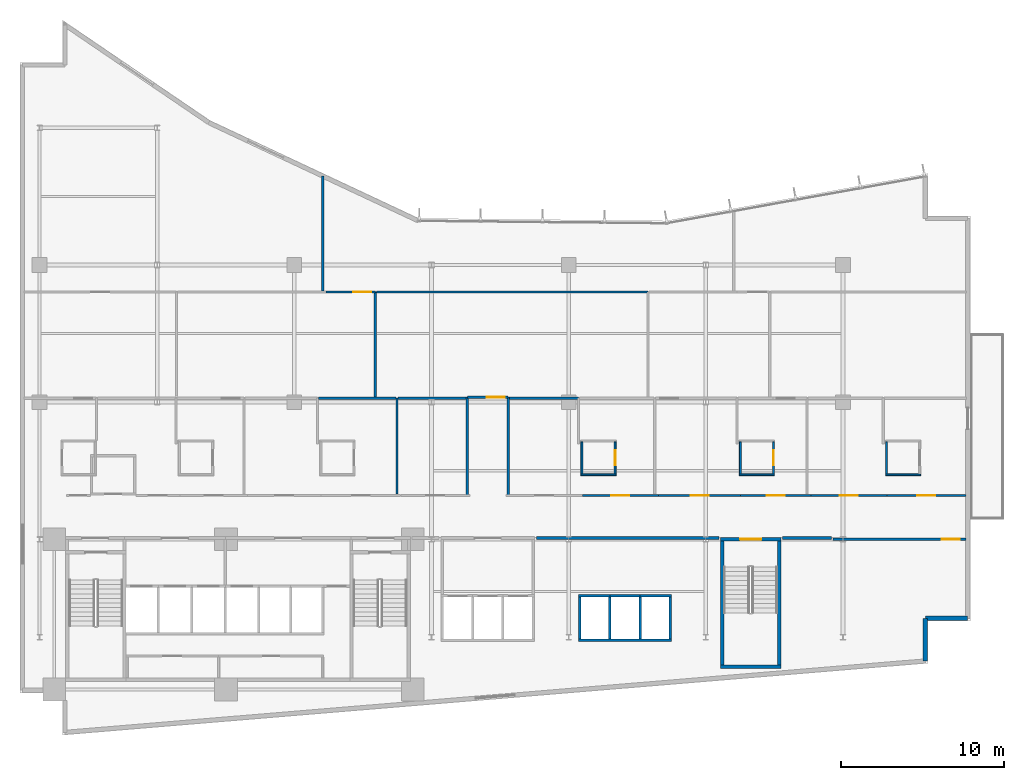
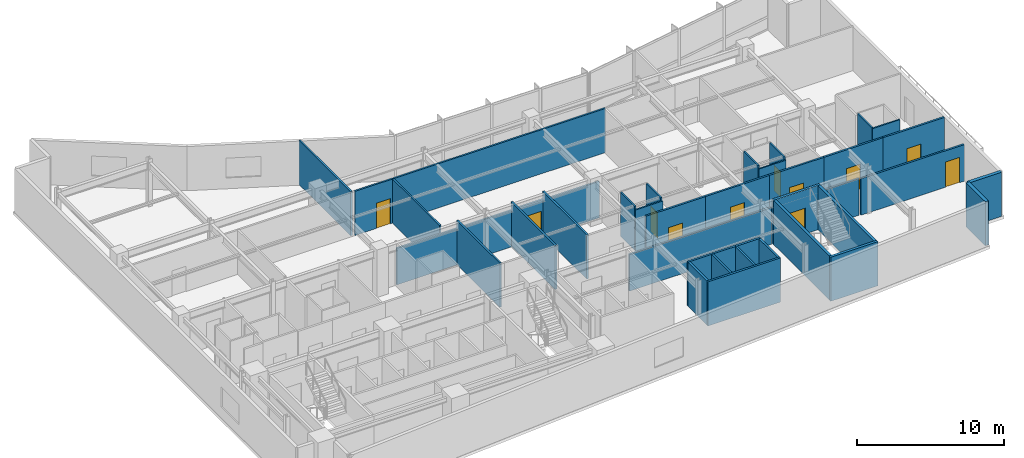
# One storey, part 12 of 19: 41 walls, 11 doors, 11 openings.
"""IFC4 building model written with IfcOpenShell, lengths in metres."""

from ifc_helpers import new_model, si_unit, direction, frame, frame_2d, origin, place, context, subcontext, project, spatial, rectangle, extrude, material, layer, layer_set, type_object, element, fill, save


model = new_model("IFC4")

# Units and contexts
model_context = context("Model", 3, precision=1e-05, world=origin(), true_north=direction((0.0, 1.0)))
body_context = subcontext(model_context, "Body", "Model", "MODEL_VIEW")
ifc_project = project(units=[si_unit("LENGTHUNIT", "METRE"), si_unit("AREAUNIT", "SQUARE_METRE"), si_unit("VOLUMEUNIT", "CUBIC_METRE"), si_unit("PLANEANGLEUNIT", "RADIAN"), si_unit("MASSUNIT", "GRAM", prefix="KILO")], contexts=[model_context])

# Site, building, storey
site_placement = place(None, origin())
site = spatial("IfcSite", under=ifc_project, at=site_placement, CompositionType="ELEMENT")
building_placement = place(site_placement, origin())
building = spatial("IfcBuilding", under=site, at=building_placement, Name="Varnakote Quay Hospital", CompositionType="ELEMENT")
storey_placement = place(building_placement, frame((0.0, 0.0, 93.60009765625)))
storey = spatial("IfcBuildingStorey", under=building, at=storey_placement, Name="L23", CompositionType="ELEMENT", Elevation=93.60009765625)

# Walls
ifc_material_1 = material(Name="Fire-rated acoustic gypsum stud wall", Category="gypsum")
ifc_layer_1 = layer(ifc_material_1, 0.159912109375)
ifc_layer_set_1 = layer_set([ifc_layer_1], Name="Fire-rated acoustic gypsum stud wall")
wall_type_1 = type_object("IfcWallType", Name="WL-COMP-160", PredefinedType="PARTITIONING", material=ifc_layer_set_1)
wall_1_placement = place(storey_placement, frame((31.6298828125, 12.080078125, 0.0), z_axis=(0.0, 0.0, 1.0), x_axis=(1.0, 0.0, 0.0)))
element("IfcWall", 1, at=wall_1_placement, inside=storey, type_object=wall_type_1, Name="L23 Corridor South Gap Wall", PredefinedType="PARTITIONING", context=body_context, shape_type="SweptSolid", body=[
    extrude(rectangle(XDim=11.180908203125, YDim=0.159912109375, at=frame_2d((5.59033203125, 0.0))), origin(), (0.0, 0.0, 1.0), 3.032958984375),
])
wall_2_placement = place(storey_placement, frame((46.689208984375, 12.080078125, 0.0), z_axis=(0.0, 0.0, 1.0), x_axis=(1.0, 0.0, 0.0)))
element("IfcWall", 2, at=wall_2_placement, inside=storey, type_object=wall_type_1, Name="L23 Corridor South Gap Wall", PredefinedType="PARTITIONING", context=body_context, shape_type="SweptSolid", body=[
    extrude(rectangle(XDim=3.0107421875, YDim=0.159912109375, at=frame_2d((1.50537109375, 0.0))), origin(), (0.0, 0.0, 1.0), 3.032958984375),
])
ifc_material_2 = material(Name="Moisture-resistant bathroom partition", Category="gypsum")
ifc_layer_2 = layer(ifc_material_2, 0.114990234375)
ifc_layer_set_2 = layer_set([ifc_layer_2], Name="Moisture-resistant bathroom partition")
wall_type_2 = type_object("IfcWallType", Name="WL-ENS-115", PredefinedType="PARTITIONING", material=ifc_layer_set_2)
wall_3_placement = place(storey_placement, frame((34.35498046875, 15.952392578125, 0.0), z_axis=(0.0, 0.0, 1.0), x_axis=(1.0, 0.0, 0.0)))
element("IfcWall", 3, at=wall_3_placement, inside=storey, type_object=wall_type_2, Name="L23 Inpatient En-Suite Bathroom 04 S Wall", PredefinedType="PARTITIONING", context=body_context, shape_type="SweptSolid", body=[
    extrude(rectangle(XDim=2.14990234375, YDim=0.114990234375, at=frame_2d((1.074951171875, 0.0))), origin(), (0.0, 0.0, 1.0), 3.43798828125),
])
wall_4_placement = place(storey_placement, frame((34.41259765625, 16.010009765625, 0.0), z_axis=(0.0, 0.0, 1.0), x_axis=(0.0, 1.0, 0.0)))
element("IfcWall", 4, at=wall_4_placement, inside=storey, type_object=wall_type_2, Name="L23 Inpatient En-Suite Bathroom 04 W Wall", PredefinedType="PARTITIONING", context=body_context, shape_type="SweptSolid", body=[
    extrude(rectangle(XDim=1.949951171875, YDim=0.114990234375, at=frame_2d((0.97509765625, 0.0))), origin(), (0.0, 0.0, 1.0), 3.669921875),
])

# Wall, opening, door
wall_5_placement = place(storey_placement, frame((36.447509765625, 16.010009765625, 0.0), z_axis=(0.0, 0.0, 1.0), x_axis=(0.0, 1.0, 0.0)))
wall_5 = element("IfcWall", 5, at=wall_5_placement, inside=storey, type_object=wall_type_2, Name="L23 Inpatient En-Suite Bathroom 04 E Wall", PredefinedType="PARTITIONING", context=body_context, shape_type="SweptSolid", body=[
    extrude(rectangle(XDim=1.949951171875, YDim=0.114990234375, at=frame_2d((0.97509765625, 0.0))), origin(), (0.0, 0.0, 1.0), 3.669921875),
])
opening_1_placement = place(wall_5_placement, frame((0.514892578125, 0.0, 0.0)))
opening_1 = element("IfcOpeningElement", 6, at=opening_1_placement, cuts=wall_5, Name="Opening D-L23-ENS04", PredefinedType="OPENING", context=body_context, shape_type="SweptSolid", body=[
    extrude(rectangle(XDim=0.919921875, YDim=2.10009765625, at=frame_2d((0.4599609375, 1.050048828125))), frame((0.0, 0.0673828125, 0.0), z_axis=(0.0, -1.0, 0.0), x_axis=(1.0, 0.0, 0.0)), (0.0, 0.0, 1.0), 0.135009765625),
])
ifc_material_3 = material(Name="Moisture-sealed en-suite bathroom door")
door_type_1 = type_object("IfcDoorType", Name="DR-ENS-920x2100", OperationType="NOTDEFINED", PredefinedType="DOOR", material=ifc_material_3)
door_1_placement = place(opening_1_placement, origin())
door_1 = element("IfcDoor", 7, at=door_1_placement, inside=storey, type_object=door_type_1, Name="L23 Inpatient En-Suite Bathroom 04 Door", OperationType="SINGLE_SWING_RIGHT", OverallHeight=2.10009765625, OverallWidth=0.919921875, PredefinedType="DOOR", context=body_context, shape_type="SweptSolid", body=[
    extrude(rectangle(XDim=0.919921875, YDim=2.10009765625, at=frame_2d((0.4599609375, 1.050048828125))), frame((0.0, 0.02490234375, 0.0), z_axis=(0.0, -1.0, 0.0), x_axis=(1.0, 0.0, 0.0)), (0.0, 0.0, 1.0), 0.050048828125),
])
fill(opening_1, door_1)

# Walls
wall_6_placement = place(storey_placement, frame((44.054931640625, 15.952392578125, 0.0), z_axis=(0.0, 0.0, 1.0), x_axis=(1.0, 0.0, 0.0)))
element("IfcWall", 8, at=wall_6_placement, inside=storey, type_object=wall_type_2, Name="L23 Inpatient En-Suite Bathroom 05 S Wall", PredefinedType="PARTITIONING", context=body_context, shape_type="SweptSolid", body=[
    extrude(rectangle(XDim=2.150146484375, YDim=0.114990234375, at=frame_2d((1.0751953125, 0.0))), origin(), (0.0, 0.0, 1.0), 3.43798828125),
])
wall_7_placement = place(storey_placement, frame((44.112548828125, 16.010009765625, 0.0), z_axis=(0.0, 0.0, 1.0), x_axis=(0.0, 1.0, 0.0)))
element("IfcWall", 9, at=wall_7_placement, inside=storey, type_object=wall_type_2, Name="L23 Inpatient En-Suite Bathroom 05 W Wall", PredefinedType="PARTITIONING", context=body_context, shape_type="SweptSolid", body=[
    extrude(rectangle(XDim=1.949951171875, YDim=0.114990234375, at=frame_2d((0.97509765625, 0.0))), origin(), (0.0, 0.0, 1.0), 3.669921875),
])

# Wall, opening, door
wall_8_placement = place(storey_placement, frame((46.1474609375, 16.010009765625, 0.0), z_axis=(0.0, 0.0, 1.0), x_axis=(0.0, 1.0, 0.0)))
wall_8 = element("IfcWall", 10, at=wall_8_placement, inside=storey, type_object=wall_type_2, Name="L23 Inpatient En-Suite Bathroom 05 E Wall", PredefinedType="PARTITIONING", context=body_context, shape_type="SweptSolid", body=[
    extrude(rectangle(XDim=1.949951171875, YDim=0.114990234375, at=frame_2d((0.97509765625, 0.0))), origin(), (0.0, 0.0, 1.0), 3.669921875),
])
opening_2_placement = place(wall_8_placement, frame((0.514892578125, 0.0, 0.0)))
opening_2 = element("IfcOpeningElement", 11, at=opening_2_placement, cuts=wall_8, Name="Opening D-L23-ENS05", PredefinedType="OPENING", context=body_context, shape_type="SweptSolid", body=[
    extrude(rectangle(XDim=0.919921875, YDim=2.10009765625, at=frame_2d((0.4599609375, 1.050048828125))), frame((0.0, 0.0673828125, 0.0), z_axis=(0.0, -1.0, 0.0), x_axis=(1.0, 0.0, 0.0)), (0.0, 0.0, 1.0), 0.135009765625),
])
door_2_placement = place(opening_2_placement, origin())
door_2 = element("IfcDoor", 12, at=door_2_placement, inside=storey, type_object=door_type_1, Name="L23 Inpatient En-Suite Bathroom 05 Door", OperationType="SINGLE_SWING_LEFT", OverallHeight=2.10009765625, OverallWidth=0.919921875, PredefinedType="DOOR", context=body_context, shape_type="SweptSolid", body=[
    extrude(rectangle(XDim=0.919921875, YDim=2.10009765625, at=frame_2d((0.4599609375, 1.050048828125))), frame((0.0, 0.02490234375, 0.0), z_axis=(0.0, -1.0, 0.0), x_axis=(1.0, 0.0, 0.0)), (0.0, 0.0, 1.0), 0.050048828125),
])
fill(opening_2, door_2)

# Walls
wall_9_placement = place(storey_placement, frame((53.0048828125, 15.952392578125, 0.0), z_axis=(0.0, 0.0, 1.0), x_axis=(1.0, 0.0, 0.0)))
element("IfcWall", 13, at=wall_9_placement, inside=storey, type_object=wall_type_2, Name="L23 Inpatient En-Suite Bathroom 06 S Wall", PredefinedType="PARTITIONING", context=body_context, shape_type="SweptSolid", body=[
    extrude(rectangle(XDim=2.150146484375, YDim=0.114990234375, at=frame_2d((1.0751953125, 0.0))), origin(), (0.0, 0.0, 1.0), 3.669921875),
])
wall_10_placement = place(storey_placement, frame((53.0625, 16.010009765625, 0.0), z_axis=(0.0, 0.0, 1.0), x_axis=(0.0, 1.0, 0.0)))
element("IfcWall", 14, at=wall_10_placement, inside=storey, type_object=wall_type_2, Name="L23 Inpatient En-Suite Bathroom 06 W Wall", PredefinedType="PARTITIONING", context=body_context, shape_type="SweptSolid", body=[
    extrude(rectangle(XDim=1.949951171875, YDim=0.114990234375, at=frame_2d((0.97509765625, 0.0))), origin(), (0.0, 0.0, 1.0), 3.669921875),
])
ifc_material_4 = material(Name="Precast concrete N50 (f'c 50 MPa)", Category="concrete")
ifc_layer_3 = layer(ifc_material_4, 0.260009765625)
ifc_layer_set_3 = layer_set([ifc_layer_3], Name="Precast concrete N50 (f'c 50 MPa)")
wall_type_3 = type_object("IfcWallType", Name="WL-EXT-BRICK-260", PredefinedType="STANDARD", material=ifc_layer_set_3)
wall_11_placement = place(storey_placement, frame((55.43994140625, 4.54736328125, 0.0), z_axis=(0.0, 0.0, 1.0), x_axis=(0.0, 1.0, 0.0)))
element("IfcWall", 15, at=wall_11_placement, inside=storey, type_object=wall_type_3, Name="L23 Brick-Faced Precast Exterior Wall", PredefinedType="STANDARD", context=body_context, shape_type="SweptSolid", body=[
    extrude(rectangle(XDim=2.612548828125, YDim=0.260009765625, at=frame_2d((1.30615234375, 0.0))), origin(), (0.0, 0.0, 1.0), 3.669921875),
])
wall_12_placement = place(storey_placement, frame((55.43994140625, 7.159912109375, 0.0), z_axis=(0.0, 0.0, 1.0), x_axis=(1.0, 0.0, 0.0)))
element("IfcWall", 16, at=wall_12_placement, inside=storey, type_object=wall_type_3, Name="L23 Brick-Faced Precast Exterior Wall", PredefinedType="STANDARD", context=body_context, shape_type="SweptSolid", body=[
    extrude(rectangle(XDim=2.60009765625, YDim=0.260009765625, at=frame_2d((1.300048828125, 0.0))), origin(), (0.0, 0.0, 1.0), 3.669921875),
])
ifc_material_5 = material(Name="Concrete N50 (f'c 50 MPa)", Category="concrete")
ifc_layer_4 = layer(ifc_material_5, 0.14990234375)
ifc_layer_set_4 = layer_set([ifc_layer_4], Name="Concrete N50 (f'c 50 MPa)")
wall_type_4 = type_object("IfcWallType", Name="WL-SHAFT-N50-150", PredefinedType="SHEAR", material=ifc_layer_set_4)
for number, where, z_axis, x_axis, name in (
    (17, (36.125, 5.89990234375, 0.0), (0.0, 0.0, 1.0), (0.0, 1.0, 0.0), "L23 LF-PM1 Hoistway Divider Wall"),
    (18, (37.97509765625, 5.89990234375, 0.0), (0.0, 0.0, 1.0), (0.0, 1.0, 0.0), "L23 LF-PM2 Hoistway Divider Wall"),
):
    element("IfcWall", number, at=place(storey_placement, frame(where, z_axis=z_axis, x_axis=x_axis)), inside=storey, type_object=wall_type_4, Name=name, PredefinedType="SHEAR", context=body_context, shape_type="SweptSolid", body=[
        extrude(rectangle(XDim=2.550048828125, YDim=0.14990234375, at=frame_2d((1.27490234375, 0.0))), origin(), (0.0, 0.0, 1.0), 3.669921875),
    ])
ifc_material_6 = material(Name="Concrete N50 (f'c 50 MPa)", Category="concrete")
ifc_layer_5 = layer(ifc_material_6, 0.159912109375)
ifc_layer_set_5 = layer_set([ifc_layer_5], Name="Concrete N50 (f'c 50 MPa)")
wall_type_5 = type_object("IfcWallType", Name="WL-SHAFT-N50-160", PredefinedType="SHEAR", material=ifc_layer_set_5)
wall_13_placement = place(storey_placement, frame((34.18994140625, 5.820068359375, 0.0), z_axis=(0.0, 0.0, 1.0), x_axis=(1.0, 0.0, 0.0)))
element("IfcWall", 19, at=wall_13_placement, inside=storey, type_object=wall_type_5, Name="L23 MID Lift Bank Back Shear Wall", PredefinedType="SHEAR", context=body_context, shape_type="SweptSolid", body=[
    extrude(rectangle(XDim=5.719970703125, YDim=0.159912109375, at=frame_2d((2.85986328125, 0.0))), origin(), (0.0, 0.0, 1.0), 3.669921875),
])
for number, where, z_axis, x_axis, name in (
    (20, (34.27001953125, 5.89990234375, 0.0), (0.0, 0.0, 1.0), (0.0, 1.0, 0.0), "L23 MID Lift Bank West Shear Wall"),
    (21, (39.830078125, 5.89990234375, 0.0), (0.0, 0.0, 1.0), (0.0, 1.0, 0.0), "L23 MID Lift Bank East Shear Wall"),
):
    element("IfcWall", number, at=place(storey_placement, frame(where, z_axis=z_axis, x_axis=x_axis)), inside=storey, type_object=wall_type_5, Name=name, PredefinedType="SHEAR", context=body_context, shape_type="SweptSolid", body=[
        extrude(rectangle(XDim=2.550048828125, YDim=0.159912109375, at=frame_2d((1.27490234375, 0.0))), origin(), (0.0, 0.0, 1.0), 3.669921875),
    ])
wall_14_placement = place(storey_placement, frame((34.18994140625, 8.530029296875, 0.0), z_axis=(0.0, 0.0, 1.0), x_axis=(1.0, 0.0, 0.0)))
element("IfcWall", 22, at=wall_14_placement, inside=storey, type_object=wall_type_5, Name="L23 LF-PM1 Hoistway Front Wall", PredefinedType="SHEAR", context=body_context, shape_type="SweptSolid", body=[
    extrude(rectangle(XDim=1.93505859375, YDim=0.159912109375, at=frame_2d((0.967529296875, 0.0))), origin(), (0.0, 0.0, 1.0), 3.669921875),
])
wall_15_placement = place(storey_placement, frame((36.125, 8.530029296875, 0.0), z_axis=(0.0, 0.0, 1.0), x_axis=(1.0, 0.0, 0.0)))
element("IfcWall", 23, at=wall_15_placement, inside=storey, type_object=wall_type_5, Name="L23 LF-PM2 Hoistway Front Wall", PredefinedType="SHEAR", context=body_context, shape_type="SweptSolid", body=[
    extrude(rectangle(XDim=1.85009765625, YDim=0.159912109375, at=frame_2d((0.925048828125, 0.0))), origin(), (0.0, 0.0, 1.0), 3.669921875),
])
wall_16_placement = place(storey_placement, frame((37.97509765625, 8.530029296875, 0.0), z_axis=(0.0, 0.0, 1.0), x_axis=(1.0, 0.0, 0.0)))
element("IfcWall", 24, at=wall_16_placement, inside=storey, type_object=wall_type_5, Name="L23 LF-PM3 Hoistway Front Wall", PredefinedType="SHEAR", context=body_context, shape_type="SweptSolid", body=[
    extrude(rectangle(XDim=1.934814453125, YDim=0.159912109375, at=frame_2d((0.96728515625, 0.0))), origin(), (0.0, 0.0, 1.0), 3.669921875),
])
ifc_material_7 = material(Name="Concrete N50 (f'c 50 MPa)", Category="concrete")
ifc_layer_6 = layer(ifc_material_7, 0.199951171875)
ifc_layer_set_6 = layer_set([ifc_layer_6], Name="Concrete N50 (f'c 50 MPa)")
wall_type_6 = type_object("IfcWallType", Name="WL-SHAFT-N50-200", PredefinedType="SHEAR", material=ifc_layer_set_6)
wall_17_placement = place(storey_placement, frame((42.89990234375, 4.199951171875, 0.0), z_axis=(0.0, 0.0, 1.0), x_axis=(1.0, 0.0, 0.0)))
element("IfcWall", 25, at=wall_17_placement, inside=storey, type_object=wall_type_6, Name="L23 Stair ST3 South Shaft Wall", PredefinedType="SHEAR", context=body_context, shape_type="SweptSolid", body=[
    extrude(rectangle(XDim=3.7001953125, YDim=0.199951171875, at=frame_2d((1.85009765625, 0.0))), origin(), (0.0, 0.0, 1.0), 3.669921875),
])
for number, where, z_axis, x_axis, name in (
    (26, (43.0, 4.300048828125, 0.0), (0.0, 0.0, 1.0), (0.0, 1.0, 0.0), "L23 Stair ST3 West Shaft Wall"),
    (27, (46.5, 4.300048828125, 0.0), (0.0, 0.0, 1.0), (0.0, 1.0, 0.0), "L23 Stair ST3 East Shaft Wall"),
):
    element("IfcWall", number, at=place(storey_placement, frame(where, z_axis=z_axis, x_axis=x_axis)), inside=storey, type_object=wall_type_6, Name=name, PredefinedType="SHEAR", context=body_context, shape_type="SweptSolid", body=[
        extrude(rectangle(XDim=7.599853515625, YDim=0.199951171875, at=frame_2d((3.7998046875, 0.0))), origin(), (0.0, 0.0, 1.0), 3.669921875),
    ])

# Wall, opening, door
wall_18_placement = place(storey_placement, frame((42.89990234375, 12.0, 0.0), z_axis=(0.0, 0.0, 1.0), x_axis=(1.0, 0.0, 0.0)))
wall_18 = element("IfcWall", 28, at=wall_18_placement, inside=storey, type_object=wall_type_6, Name="L23 Stair ST3 Exit Wall", PredefinedType="SHEAR", context=body_context, shape_type="SweptSolid", body=[
    extrude(rectangle(XDim=3.7001953125, YDim=0.199951171875, at=frame_2d((1.85009765625, 0.0))), origin(), (0.0, 0.0, 1.0), 3.669921875),
])
opening_3_placement = place(wall_18_placement, frame((1.199951171875, 0.0, 0.0)))
opening_3 = element("IfcOpeningElement", 29, at=opening_3_placement, cuts=wall_18, Name="Opening D-ST3-L23", PredefinedType="OPENING", context=body_context, shape_type="SweptSolid", body=[
    extrude(rectangle(XDim=1.300048828125, YDim=2.14990234375, at=frame_2d((0.64990234375, 1.074951171875))), frame((0.0, 0.10986328125, 0.0), z_axis=(0.0, -1.0, 0.0), x_axis=(1.0, 0.0, 0.0)), (0.0, 0.0, 1.0), 0.219970703125),
])
ifc_material_8 = material(Name="Fire-rated ceramic-glazed timber exit door", Category="wood")
door_type_2 = type_object("IfcDoorType", Name="DR-STAIR-FD60S-1300x2150", OperationType="NOTDEFINED", PredefinedType="DOOR", material=ifc_material_8)
door_3_placement = place(opening_3_placement, origin())
door_3 = element("IfcDoor", 30, at=door_3_placement, inside=storey, type_object=door_type_2, Name="L23 Stair ST3 Fire Exit Door", OperationType="SINGLE_SWING_RIGHT", OverallHeight=2.14990234375, OverallWidth=1.300048828125, PredefinedType="DOOR", context=body_context, shape_type="SweptSolid", body=[
    extrude(rectangle(XDim=1.300048828125, YDim=2.14990234375, at=frame_2d((0.64990234375, 1.074951171875))), frame((0.0, 0.02490234375, 0.0), z_axis=(0.0, -1.0, 0.0), x_axis=(1.0, 0.0, 0.0)), (0.0, 0.0, 1.0), 0.050048828125),
])
fill(opening_3, door_3)

# Walls
ifc_material_9 = material(Name="Smoke-proof clinical partition", Category="gypsum")
ifc_layer_7 = layer(ifc_material_9, 0.135009765625)
ifc_layer_set_7 = layer_set([ifc_layer_7], Name="Smoke-proof clinical partition")
wall_type_7 = type_object("IfcWallType", Name="WL-SMOKE-135", PredefinedType="PARTITIONING", material=ifc_layer_set_7)
wall_19_placement = place(storey_placement, frame((23.090087890625, 14.760009765625, 0.0), z_axis=(0.0, 0.0, 1.0), x_axis=(0.0, 1.0, 0.0)))
element("IfcWall", 31, at=wall_19_placement, inside=storey, type_object=wall_type_7, Name="L23 Clinical Interior Partition", PredefinedType="PARTITIONING", context=body_context, shape_type="SweptSolid", body=[
    extrude(rectangle(XDim=5.8798828125, YDim=0.135009765625, at=frame_2d((2.93994140625, 0.0))), origin(), (0.0, 0.0, 1.0), 3.669921875),
])
wall_20_placement = place(storey_placement, frame((23.032470703125, 20.639892578125, 0.0), z_axis=(0.0, 0.0, 1.0), x_axis=(-1.0, 0.0, 0.0)))
element("IfcWall", 32, at=wall_20_placement, inside=storey, type_object=wall_type_7, Name="L23 Clinical Interior Partition", PredefinedType="PARTITIONING", context=body_context, shape_type="SweptSolid", body=[
    extrude(rectangle(XDim=4.7548828125, YDim=0.135009765625, at=frame_2d((2.37744140625, 0.0))), origin(), (0.0, 0.0, 1.0), 3.032958984375),
])
wall_21_placement = place(storey_placement, frame((27.320068359375, 20.639892578125, 0.0), z_axis=(0.0, 0.0, 1.0), x_axis=(-1.0, 0.0, 0.0)))
element("IfcWall", 33, at=wall_21_placement, inside=storey, type_object=wall_type_7, Name="L23 Clinical Interior Partition", PredefinedType="PARTITIONING", context=body_context, shape_type="SweptSolid", body=[
    extrude(rectangle(XDim=4.172607421875, YDim=0.135009765625, at=frame_2d((2.08642578125, 0.0))), origin(), (0.0, 0.0, 1.0), 3.032958984375),
])
wall_22_placement = place(storey_placement, frame((34.2099609375, 20.639892578125, 0.0), z_axis=(0.0, 0.0, 1.0), x_axis=(-1.0, 0.0, 0.0)))
element("IfcWall", 34, at=wall_22_placement, inside=storey, type_object=wall_type_7, Name="L23 Clinical Interior Partition", PredefinedType="PARTITIONING", context=body_context, shape_type="SweptSolid", body=[
    extrude(rectangle(XDim=4.244873046875, YDim=0.135009765625, at=frame_2d((2.12255859375, 0.0))), origin(), (0.0, 0.0, 1.0), 3.032958984375),
])
wall_23_placement = place(storey_placement, frame((21.760009765625, 20.697509765625, 0.0), z_axis=(0.0, 0.0, 1.0), x_axis=(0.0, 1.0, 0.0)))
element("IfcWall", 35, at=wall_23_placement, inside=storey, type_object=wall_type_7, Name="L23 Clinical Interior Partition", PredefinedType="PARTITIONING", context=body_context, shape_type="SweptSolid", body=[
    extrude(rectangle(XDim=6.4423828125, YDim=0.135009765625, at=frame_2d((3.22119140625, 0.0))), origin(), (0.0, 0.0, 1.0), 3.669921875),
])

# Wall, opening, door
wall_24_placement = place(storey_placement, frame((21.760009765625, 27.139892578125, 0.0), z_axis=(0.0, 0.0, 1.0), x_axis=(-1.0, 0.0, 0.0)))
wall_24 = element("IfcWall", 36, at=wall_24_placement, inside=storey, type_object=wall_type_7, Name="L23 Clinical Interior Partition", PredefinedType="PARTITIONING", context=body_context, shape_type="SweptSolid", body=[
    extrude(rectangle(XDim=3.010498046875, YDim=0.135009765625, at=frame_2d((1.50537109375, 0.0))), origin(), (0.0, 0.0, 1.0), 3.669921875),
])
opening_4_placement = place(wall_24_placement, frame((0.23779296875, 0.0, 0.0)))
opening_4 = element("IfcOpeningElement", 37, at=opening_4_placement, cuts=wall_24, Name="Opening D-L23-MD11", PredefinedType="OPENING", context=body_context, shape_type="SweptSolid", body=[
    extrude(rectangle(XDim=1.10009765625, YDim=2.10009765625, at=frame_2d((0.550048828125, 1.050048828125))), frame((0.0, 0.077392578125, 0.0), z_axis=(0.0, -1.0, 0.0), x_axis=(1.0, 0.0, 0.0)), (0.0, 0.0, 1.0), 0.155029296875),
])
ifc_material_10 = material(Name="Acoustic timber clinical consult door", Category="wood")
door_type_3 = type_object("IfcDoorType", Name="DR-CLIN-FD30S-1100x2100", OperationType="NOTDEFINED", PredefinedType="DOOR", material=ifc_material_10)
door_4_placement = place(opening_4_placement, origin())
door_4 = element("IfcDoor", 38, at=door_4_placement, inside=storey, type_object=door_type_3, Name="L23 Critical Care Clinical Consultation Suite Door", OperationType="SINGLE_SWING_RIGHT", OverallHeight=2.10009765625, OverallWidth=1.10009765625, PredefinedType="DOOR", context=body_context, shape_type="SweptSolid", body=[
    extrude(rectangle(XDim=1.10009765625, YDim=2.10009765625, at=frame_2d((0.550048828125, 1.050048828125))), frame((0.0, 0.02490234375, 0.0), z_axis=(0.0, -1.0, 0.0), x_axis=(1.0, 0.0, 0.0)), (0.0, 0.0, 1.0), 0.050048828125),
])
fill(opening_4, door_4)

# Walls
wall_25_placement = place(storey_placement, frame((38.449951171875, 27.139892578125, 0.0), z_axis=(0.0, 0.0, 1.0), x_axis=(-1.0, 0.0, 0.0)))
element("IfcWall", 39, at=wall_25_placement, inside=storey, type_object=wall_type_7, Name="L23 Clinical Interior Partition", PredefinedType="PARTITIONING", context=body_context, shape_type="SweptSolid", body=[
    extrude(rectangle(XDim=16.632568359375, YDim=0.135009765625, at=frame_2d((8.31640625, 0.0))), origin(), (0.0, 0.0, 1.0), 3.669921875),
])
wall_26_placement = place(storey_placement, frame((18.5400390625, 27.197509765625, 0.0), z_axis=(0.0, 0.0, 1.0), x_axis=(0.0, 1.0, 0.0)))
element("IfcWall", 40, at=wall_26_placement, inside=storey, type_object=wall_type_7, Name="L23 Clinical Interior Partition", PredefinedType="PARTITIONING", context=body_context, shape_type="SweptSolid", body=[
    extrude(rectangle(XDim=7.04638671875, YDim=0.135009765625, at=frame_2d((3.523193359375, 0.0))), origin(), (0.0, 0.0, 1.0), 3.669921875),
])

# Wall, opening, door
ifc_material_11 = material(Name="Fire-rated clinical gypsum partition", Category="gypsum")
ifc_layer_8 = layer(ifc_material_11, 0.14990234375)
ifc_layer_set_8 = layer_set([ifc_layer_8], Name="Fire-rated clinical gypsum partition")
wall_type_8 = type_object("IfcWallType", Name="WL-WARD-150", PredefinedType="PARTITIONING", material=ifc_layer_set_8)
wall_27_placement = place(storey_placement, frame((57.919921875, 12.0, 0.0), z_axis=(0.0, 0.0, 1.0), x_axis=(-1.0, 0.0, 0.0)))
wall_27 = element("IfcWall", 41, at=wall_27_placement, inside=storey, type_object=wall_type_8, Name="L23 Clinical Interior Partition", PredefinedType="PARTITIONING", context=body_context, shape_type="SweptSolid", body=[
    extrude(rectangle(XDim=8.119873046875, YDim=0.14990234375, at=frame_2d((4.06005859375, 0.0))), origin(), (0.0, 0.0, 1.0), 3.032958984375),
])
opening_5_placement = place(wall_27_placement, frame((0.365478515625, 0.0, 0.0)))
opening_5 = element("IfcOpeningElement", 42, at=opening_5_placement, cuts=wall_27, Name="Opening D-L23-SE1", PredefinedType="OPENING", context=body_context, shape_type="SweptSolid", body=[
    extrude(rectangle(XDim=1.10009765625, YDim=2.10009765625, at=frame_2d((0.550048828125, 1.050048828125))), frame((0.0, 0.0849609375, 0.0), z_axis=(0.0, -1.0, 0.0), x_axis=(1.0, 0.0, 0.0)), (0.0, 0.0, 1.0), 0.169921875),
])
door_5_placement = place(opening_5_placement, origin())
door_5 = element("IfcDoor", 43, at=door_5_placement, inside=storey, type_object=door_type_3, Name="L23 Clinical Biomedical Engineering Office Door", OperationType="SINGLE_SWING_LEFT", OverallHeight=2.10009765625, OverallWidth=1.10009765625, PredefinedType="DOOR", context=body_context, shape_type="SweptSolid", body=[
    extrude(rectangle(XDim=1.10009765625, YDim=2.10009765625, at=frame_2d((0.550048828125, 1.050048828125))), frame((0.0, 0.02490234375, 0.0), z_axis=(0.0, -1.0, 0.0), x_axis=(1.0, 0.0, 0.0)), (0.0, 0.0, 1.0), 0.050048828125),
])
fill(opening_5, door_5)

wall_28_placement = place(storey_placement, frame((39.095947265625, 14.679931640625, 0.0), z_axis=(0.0, 0.0, 1.0), x_axis=(-1.0, 0.0, 0.0)))
wall_28 = element("IfcWall", 44, at=wall_28_placement, inside=storey, type_object=wall_type_8, Name="L23 Clinical Interior Partition", PredefinedType="PARTITIONING", context=body_context, shape_type="SweptSolid", body=[
    extrude(rectangle(XDim=4.657958984375, YDim=0.14990234375, at=frame_2d((2.3291015625, 0.0))), origin(), (0.0, 0.0, 1.0), 3.669921875),
])
opening_6_placement = place(wall_28_placement, frame((1.779052734375, 0.0, 0.0)))
opening_6 = element("IfcOpeningElement", 45, at=opening_6_placement, cuts=wall_28, Name="Opening D-L23-BR04", PredefinedType="OPENING", context=body_context, shape_type="SweptSolid", body=[
    extrude(rectangle(XDim=1.10009765625, YDim=2.10009765625, at=frame_2d((0.550048828125, 1.050048828125))), frame((0.0, 0.0849609375, 0.0), z_axis=(0.0, -1.0, 0.0), x_axis=(1.0, 0.0, 0.0)), (0.0, 0.0, 1.0), 0.169921875),
])
door_6_placement = place(opening_6_placement, origin())
door_6 = element("IfcDoor", 46, at=door_6_placement, inside=storey, type_object=door_type_3, Name="L23 Inpatient Clinical Treatment Room 04 Door", OperationType="SINGLE_SWING_LEFT", OverallHeight=2.10009765625, OverallWidth=1.10009765625, PredefinedType="DOOR", context=body_context, shape_type="SweptSolid", body=[
    extrude(rectangle(XDim=1.10009765625, YDim=2.10009765625, at=frame_2d((0.550048828125, 1.050048828125))), frame((0.0, 0.02490234375, 0.0), z_axis=(0.0, -1.0, 0.0), x_axis=(1.0, 0.0, 0.0)), (0.0, 0.0, 1.0), 0.050048828125),
])
fill(opening_6, door_6)

wall_29_placement = place(storey_placement, frame((44.135986328125, 14.679931640625, 0.0), z_axis=(0.0, 0.0, 1.0), x_axis=(-1.0, 0.0, 0.0)))
wall_29 = element("IfcWall", 47, at=wall_29_placement, inside=storey, type_object=wall_type_8, Name="L23 Clinical Interior Partition", PredefinedType="PARTITIONING", context=body_context, shape_type="SweptSolid", body=[
    extrude(rectangle(XDim=5.0380859375, YDim=0.14990234375, at=frame_2d((2.51904296875, 0.0))), origin(), (0.0, 0.0, 1.0), 3.669921875),
])
opening_7_placement = place(wall_29_placement, frame((1.968994140625, 0.0, 0.0)))
opening_7 = element("IfcOpeningElement", 48, at=opening_7_placement, cuts=wall_29, Name="Opening D-L23-MD05", PredefinedType="OPENING", context=body_context, shape_type="SweptSolid", body=[
    extrude(rectangle(XDim=1.10009765625, YDim=2.10009765625, at=frame_2d((0.550048828125, 1.050048828125))), frame((0.0, 0.0849609375, 0.0), z_axis=(0.0, -1.0, 0.0), x_axis=(1.0, 0.0, 0.0)), (0.0, 0.0, 1.0), 0.169921875),
])
door_7_placement = place(opening_7_placement, origin())
door_7 = element("IfcDoor", 49, at=door_7_placement, inside=storey, type_object=door_type_3, Name="L23 High-Dependency Treatment Suite Door", OperationType="SINGLE_SWING_RIGHT", OverallHeight=2.10009765625, OverallWidth=1.10009765625, PredefinedType="DOOR", context=body_context, shape_type="SweptSolid", body=[
    extrude(rectangle(XDim=1.10009765625, YDim=2.10009765625, at=frame_2d((0.550048828125, 1.050048828125))), frame((0.0, 0.02490234375, 0.0), z_axis=(0.0, -1.0, 0.0), x_axis=(1.0, 0.0, 0.0)), (0.0, 0.0, 1.0), 0.050048828125),
])
fill(opening_7, door_7)

wall_30_placement = place(storey_placement, frame((48.426025390625, 14.679931640625, 0.0), z_axis=(0.0, 0.0, 1.0), x_axis=(-1.0, 0.0, 0.0)))
wall_30 = element("IfcWall", 50, at=wall_30_placement, inside=storey, type_object=wall_type_8, Name="L23 Clinical Interior Partition", PredefinedType="PARTITIONING", context=body_context, shape_type="SweptSolid", body=[
    extrude(rectangle(XDim=4.2880859375, YDim=0.14990234375, at=frame_2d((2.14404296875, 0.0))), origin(), (0.0, 0.0, 1.0), 3.669921875),
])
opening_8_placement = place(wall_30_placement, frame((1.593994140625, 0.0, 0.0)))
opening_8 = element("IfcOpeningElement", 51, at=opening_8_placement, cuts=wall_30, Name="Opening D-L23-BR05", PredefinedType="OPENING", context=body_context, shape_type="SweptSolid", body=[
    extrude(rectangle(XDim=1.10009765625, YDim=2.10009765625, at=frame_2d((0.550048828125, 1.050048828125))), frame((0.0, 0.0849609375, 0.0), z_axis=(0.0, -1.0, 0.0), x_axis=(1.0, 0.0, 0.0)), (0.0, 0.0, 1.0), 0.169921875),
])
door_8_placement = place(opening_8_placement, origin())
door_8 = element("IfcDoor", 52, at=door_8_placement, inside=storey, type_object=door_type_3, Name="L23 Inpatient Clinical Treatment Room 05 Door", OperationType="SINGLE_SWING_LEFT", OverallHeight=2.10009765625, OverallWidth=1.10009765625, PredefinedType="DOOR", context=body_context, shape_type="SweptSolid", body=[
    extrude(rectangle(XDim=1.10009765625, YDim=2.10009765625, at=frame_2d((0.550048828125, 1.050048828125))), frame((0.0, 0.02490234375, 0.0), z_axis=(0.0, -1.0, 0.0), x_axis=(1.0, 0.0, 0.0)), (0.0, 0.0, 1.0), 0.050048828125),
])
fill(opening_8, door_8)

wall_31_placement = place(storey_placement, frame((53.0859375, 14.679931640625, 0.0), z_axis=(0.0, 0.0, 1.0), x_axis=(-1.0, 0.0, 0.0)))
wall_31 = element("IfcWall", 53, at=wall_31_placement, inside=storey, type_object=wall_type_8, Name="L23 Clinical Interior Partition", PredefinedType="PARTITIONING", context=body_context, shape_type="SweptSolid", body=[
    extrude(rectangle(XDim=4.657958984375, YDim=0.14990234375, at=frame_2d((2.3291015625, 0.0))), origin(), (0.0, 0.0, 1.0), 3.669921875),
])
opening_9_placement = place(wall_31_placement, frame((1.779052734375, 0.0, 0.0)))
opening_9 = element("IfcOpeningElement", 54, at=opening_9_placement, cuts=wall_31, Name="Opening D-L23-MD06", PredefinedType="OPENING", context=body_context, shape_type="SweptSolid", body=[
    extrude(rectangle(XDim=1.10009765625, YDim=2.10009765625, at=frame_2d((0.550048828125, 1.050048828125))), frame((0.0, 0.0849609375, 0.0), z_axis=(0.0, -1.0, 0.0), x_axis=(1.0, 0.0, 0.0)), (0.0, 0.0, 1.0), 0.169921875),
])
door_9_placement = place(opening_9_placement, origin())
door_9 = element("IfcDoor", 55, at=door_9_placement, inside=storey, type_object=door_type_3, Name="L23 Intensivist Medication Pantry Door", OperationType="SINGLE_SWING_RIGHT", OverallHeight=2.10009765625, OverallWidth=1.10009765625, PredefinedType="DOOR", context=body_context, shape_type="SweptSolid", body=[
    extrude(rectangle(XDim=1.10009765625, YDim=2.10009765625, at=frame_2d((0.550048828125, 1.050048828125))), frame((0.0, 0.02490234375, 0.0), z_axis=(0.0, -1.0, 0.0), x_axis=(1.0, 0.0, 0.0)), (0.0, 0.0, 1.0), 0.050048828125),
])
fill(opening_9, door_9)

wall_32_placement = place(storey_placement, frame((57.919921875, 14.679931640625, 0.0), z_axis=(0.0, 0.0, 1.0), x_axis=(-1.0, 0.0, 0.0)))
wall_32 = element("IfcWall", 56, at=wall_32_placement, inside=storey, type_object=wall_type_8, Name="L23 Clinical Interior Partition", PredefinedType="PARTITIONING", context=body_context, shape_type="SweptSolid", body=[
    extrude(rectangle(XDim=4.83203125, YDim=0.14990234375, at=frame_2d((2.416015625, 0.0))), origin(), (0.0, 0.0, 1.0), 3.669921875),
])
opening_10_placement = place(wall_32_placement, frame((1.865966796875, 0.0, 0.0)))
opening_10 = element("IfcOpeningElement", 57, at=opening_10_placement, cuts=wall_32, Name="Opening D-L23-BR06", PredefinedType="OPENING", context=body_context, shape_type="SweptSolid", body=[
    extrude(rectangle(XDim=1.10009765625, YDim=2.10009765625, at=frame_2d((0.550048828125, 1.050048828125))), frame((0.0, 0.0849609375, 0.0), z_axis=(0.0, -1.0, 0.0), x_axis=(1.0, 0.0, 0.0)), (0.0, 0.0, 1.0), 0.169921875),
])
door_10_placement = place(opening_10_placement, origin())
door_10 = element("IfcDoor", 58, at=door_10_placement, inside=storey, type_object=door_type_3, Name="L23 Inpatient Clinical Treatment Room 06 Door", OperationType="SINGLE_SWING_LEFT", OverallHeight=2.10009765625, OverallWidth=1.10009765625, PredefinedType="DOOR", context=body_context, shape_type="SweptSolid", body=[
    extrude(rectangle(XDim=1.10009765625, YDim=2.10009765625, at=frame_2d((0.550048828125, 1.050048828125))), frame((0.0, 0.02490234375, 0.0), z_axis=(0.0, -1.0, 0.0), x_axis=(1.0, 0.0, 0.0)), (0.0, 0.0, 1.0), 0.050048828125),
])
fill(opening_10, door_10)

# Walls
for number, where, z_axis, x_axis, name in (
    (59, (27.39990234375, 20.699951171875, 0.0), (0.0, 0.0, 1.0), (0.0, -1.0, 0.0), "L23 Clinical Interior Partition"),
    (60, (29.89990234375, 14.699951171875, 0.0), (0.0, 0.0, 1.0), (0.0, 1.0, 0.0), "L23 Clinical Interior Partition"),
):
    element("IfcWall", number, at=place(storey_placement, frame(where, z_axis=z_axis, x_axis=x_axis)), inside=storey, type_object=wall_type_8, Name=name, PredefinedType="PARTITIONING", context=body_context, shape_type="SweptSolid", body=[
        extrude(rectangle(XDim=6.0, YDim=0.14990234375, at=frame_2d((3.0, 0.0))), origin(), (0.0, 0.0, 1.0), 3.669921875),
    ])

# Wall, opening, door
wall_33_placement = place(storey_placement, frame((29.89990234375, 20.699951171875, 0.0), z_axis=(0.0, 0.0, 1.0), x_axis=(-1.0, 0.0, 0.0)))
wall_33 = element("IfcWall", 61, at=wall_33_placement, inside=storey, type_object=wall_type_8, Name="L23 Clinical Interior Partition", PredefinedType="PARTITIONING", context=body_context, shape_type="SweptSolid", body=[
    extrude(rectangle(XDim=2.5, YDim=0.14990234375, at=frame_2d((1.25, 0.0))), origin(), (0.0, 0.0, 1.0), 3.032958984375),
])
opening_11_placement = place(wall_33_placement, frame((0.22509765625, 0.0, 0.0)))
opening_11 = element("IfcOpeningElement", 62, at=opening_11_placement, cuts=wall_33, Name="Opening D-L23-MD09", PredefinedType="OPENING", context=body_context, shape_type="SweptSolid", body=[
    extrude(rectangle(XDim=1.10009765625, YDim=2.10009765625, at=frame_2d((0.550048828125, 1.050048828125))), frame((0.0, 0.0849609375, 0.0), z_axis=(0.0, -1.0, 0.0), x_axis=(1.0, 0.0, 0.0)), (0.0, 0.0, 1.0), 0.169921875),
])
door_11_placement = place(opening_11_placement, origin())
door_11 = element("IfcDoor", 63, at=door_11_placement, inside=storey, type_object=door_type_3, Name="L23 High-Dependency Treatment Suite Door", OperationType="SINGLE_SWING_RIGHT", OverallHeight=2.10009765625, OverallWidth=1.10009765625, PredefinedType="DOOR", context=body_context, shape_type="SweptSolid", body=[
    extrude(rectangle(XDim=1.10009765625, YDim=2.10009765625, at=frame_2d((0.550048828125, 1.050048828125))), frame((0.0, 0.02490234375, 0.0), z_axis=(0.0, -1.0, 0.0), x_axis=(1.0, 0.0, 0.0)), (0.0, 0.0, 1.0), 0.050048828125),
])
fill(opening_11, door_11)

save(model, "model.ifc")
